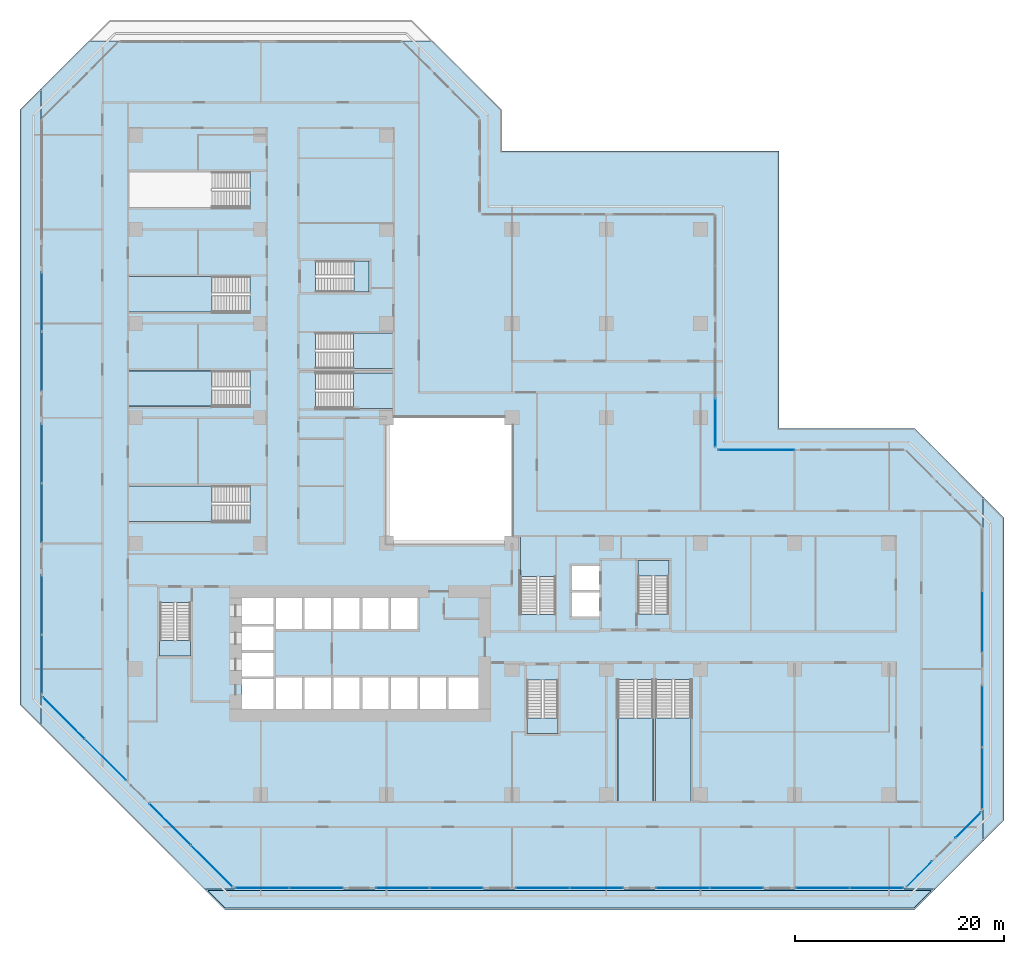
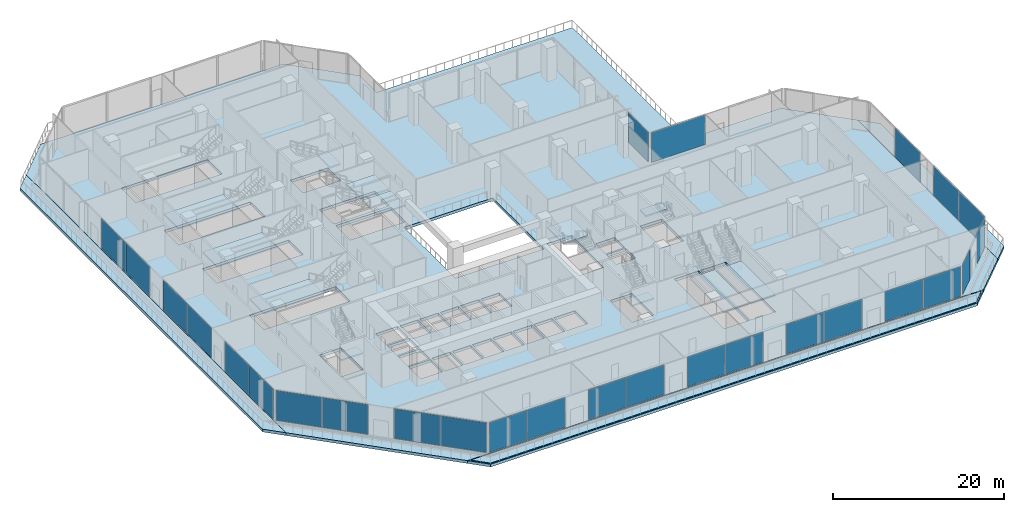
# One storey, part 10 of 26: 27 plates, 17 slabs, 28 elements without a shape of their own.
"""IFC4 building model written with IfcOpenShell, lengths in metres."""

import ifcopenshell
import ifcopenshell.guid

model = None  # the IFC model being written
_history = None  # IfcOwnerHistory: only IFC2X3 demands one
_inside = {}  # id of a spatial element -> (the spatial element, [elements in it])
_under = {}  # id of a project, library or spatial element -> (it, [spatial elements below it])
_declared = {}  # id of a project -> (the project, [libraries it declares])
_typed = {}  # id of a type object -> (the type object, [elements of that type])
_made_of = {}  # id of a material, layer set ... -> (it, [elements and type objects made of it])


def new_model(schema):
    """Start an empty IFC model of exactly this schema.

    Asked for "IFC4X3", IfcOpenShell would pick the latest addendum, in which some entities
    have other attributes; the version numbers below select the first issue.
    IFC2X3 requires an IfcOwnerHistory on every rooted entity: one is made here for all.
    """
    global model, _history
    if schema == "IFC4X3":
        model = ifcopenshell.file(schema_version=(4, 3, 0, 0))
    else:
        model = ifcopenshell.file(schema=schema)
    _inside.clear()
    _under.clear()
    _declared.clear()
    _typed.clear()
    _made_of.clear()
    _history = None
    if model.schema == "IFC2X3":
        org = make("IfcOrganization", Name="unknown")
        user = make(
            "IfcPersonAndOrganization",
            ThePerson=make("IfcPerson", FamilyName="unknown"),
            TheOrganization=org,
        )
        app = make(
            "IfcApplication",
            ApplicationDeveloper=org,
            Version="unknown",
            ApplicationFullName="unknown",
            ApplicationIdentifier="unknown",
        )
        _history = make(
            "IfcOwnerHistory",
            OwningUser=user,
            OwningApplication=app,
            ChangeAction="ADDED",
            CreationDate=0,
        )
    return model


def make(cls, **values):
    """One entity of the class cls with the attributes given. An attribute that is None is left unset."""
    return model.create_entity(
        cls, **{name: value for name, value in values.items() if value is not None}
    )


def rooted(cls, **values):
    """An entity with a GlobalId (a new one), such as an element, a storey or a relation."""
    return make(cls, GlobalId=ifcopenshell.guid.new(), OwnerHistory=_history, **values)


def si_unit(unit_type, name, prefix=None):
    """IfcSIUnit, for example si_unit("LENGTHUNIT", "METRE", prefix="MILLI")."""
    return make("IfcSIUnit", UnitType=unit_type, Prefix=prefix, Name=name)


def assignment(units):
    """IfcUnitAssignment: the units of a project."""
    return None if units is None else make("IfcUnitAssignment", Units=units)


def point(xyz):
    """IfcCartesianPoint."""
    return None if xyz is None else make("IfcCartesianPoint", Coordinates=xyz)


def direction(xyz):
    """IfcDirection."""
    return None if xyz is None else make("IfcDirection", DirectionRatios=xyz)


def frame(location, z_axis=None, x_axis=None):
    """IfcAxis2Placement3D, a coordinate frame: its origin and axes. An axis left out is left unset."""
    return make(
        "IfcAxis2Placement3D",
        Location=point(location),
        Axis=direction(z_axis),
        RefDirection=direction(x_axis),
    )


def frame_2d(location, x_axis=None):
    """IfcAxis2Placement2D, a coordinate frame in the plane: its origin and x axis."""
    return make(
        "IfcAxis2Placement2D", Location=point(location), RefDirection=direction(x_axis)
    )


def origin():
    """The frame at (0, 0, 0) with its axes left unset."""
    return frame((0.0, 0.0, 0.0))


def origin_2d():
    """The frame at (0, 0) in the plane with its x axis left unset."""
    return frame_2d((0.0, 0.0))


def place(relative_to, where):
    """IfcLocalPlacement: puts the frame where relative to a parent placement (None: the world)."""
    return make(
        "IfcLocalPlacement", PlacementRelTo=relative_to, RelativePlacement=where
    )


def context(
    kind, dimensions, precision=None, world=None, true_north=None, identifier=None
):
    """IfcGeometricRepresentationContext, for example the 3D "Model" context."""
    return make(
        "IfcGeometricRepresentationContext",
        ContextIdentifier=identifier,
        ContextType=kind,
        CoordinateSpaceDimension=dimensions,
        Precision=precision,
        WorldCoordinateSystem=world,
        TrueNorth=true_north,
    )


def subcontext(parent, identifier, kind, view, scale=None):
    """IfcGeometricRepresentationSubContext, for example "Body" below "Model"."""
    return make(
        "IfcGeometricRepresentationSubContext",
        ContextIdentifier=identifier,
        ContextType=kind,
        ParentContext=parent,
        TargetScale=scale,
        TargetView=view,
    )


def project(units=None, contexts=None):
    """IfcProject with its units and contexts."""
    return rooted(
        "IfcProject",
        Name="project",
        RepresentationContexts=contexts,
        UnitsInContext=assignment(units),
    )


def spatial(cls, under=None, at=None, **own):
    """A site, building, storey or space (cls), placed at a placement, below another one or the project."""
    s = rooted(cls, ObjectPlacement=at, **own)
    if under is not None:
        _under.setdefault(under.id(), (under, []))[1].append(s)
    return s


def polyline(points):
    """IfcPolyline through the points."""
    return make("IfcPolyline", Points=[point(p) for p in points])


def profile(cls, at=None, kind="AREA", **sizes):
    """A parametric profile (cls). Its sizes go by their IFC names, for example OverallWidth=200.0."""
    return make(cls, ProfileType=kind, Position=at, **sizes)


def rectangle(**sizes):
    """IfcRectangleProfileDef."""
    return profile("IfcRectangleProfileDef", **sizes)


def outline(outer, holes=None, kind="AREA"):
    """IfcArbitraryClosedProfileDef: a profile drawn as a closed curve; with holes, ...WithVoids."""
    if holes is None:
        return make("IfcArbitraryClosedProfileDef", ProfileType=kind, OuterCurve=outer)
    return make(
        "IfcArbitraryProfileDefWithVoids",
        ProfileType=kind,
        OuterCurve=outer,
        InnerCurves=holes,
    )


def extrude(swept, where, along, depth):
    """IfcExtrudedAreaSolid: the profile swept, set in the frame where, extruded along a direction by depth."""
    return make(
        "IfcExtrudedAreaSolid",
        SweptArea=swept,
        Position=where,
        ExtrudedDirection=direction(along),
        Depth=depth,
    )


def shape(context_of_items, identifier, shape_type, items):
    """IfcShapeRepresentation: the items that make up one representation, for example the "Body"."""
    return make(
        "IfcShapeRepresentation",
        ContextOfItems=context_of_items,
        RepresentationIdentifier=identifier,
        RepresentationType=shape_type,
        Items=items,
    )


def material(Name=None, Category=None):
    """IfcMaterial."""
    return make("IfcMaterial", Name=Name, Category=Category)


def layer(
    of_material, thickness, ventilated=None, Name=None, Category=None, Priority=None
):
    """IfcMaterialLayer: one layer of a wall or slab, of a material (None: an air gap)."""
    return make(
        "IfcMaterialLayer",
        Material=of_material,
        LayerThickness=thickness,
        IsVentilated=ventilated,
        Name=Name,
        Category=Category,
        Priority=Priority,
    )


def layer_set(layers, Name=None):
    """IfcMaterialLayerSet."""
    return make("IfcMaterialLayerSet", MaterialLayers=layers, LayerSetName=Name)


def made_of(thing, what):
    """Note that an element or type object is made of a material, layer set ...; save() writes the relation."""
    if what is not None:
        _made_of.setdefault(what.id(), (what, []))[1].append(thing)
    return thing


def type_object(cls, material=None, **own):
    """A type object (cls), such as IfcWallType, which elements share."""
    return made_of(rooted(cls, **own), material)


def element(
    cls,
    number,
    at=None,
    inside=None,
    cuts=None,
    type_object=None,
    material=None,
    context=None,
    identifier="Body",
    shape_type=None,
    held_by="IfcProductDefinitionShape",
    body=None,
    shapes=None,
    **own,
):
    """One element of the class cls, such as IfcWall. Its Tag is "e" and its number.

    at: its placement. inside: the storey or other place that contains it. cuts: it is an
    opening in that element (IfcRelVoidsElement). A single representation is given by context,
    identifier, shape_type and body (its items); several are given by shapes. held_by: the class
    of the entity that holds the representations. save() writes the other relations.
    """
    e = rooted(cls, Tag="e%d" % number, ObjectPlacement=at, **own)
    if body is not None:
        shapes = [shape(context, identifier, shape_type, body)]
    if shapes is not None:
        e.Representation = make(held_by, Representations=shapes)
    if inside is not None:
        _inside.setdefault(inside.id(), (inside, []))[1].append(e)
    if cuts is not None:
        rooted(
            "IfcRelVoidsElement", RelatingBuildingElement=cuts, RelatedOpeningElement=e
        )
    if type_object is not None:
        _typed.setdefault(type_object.id(), (type_object, []))[1].append(e)
    return made_of(e, material)


def aggregate(whole, parts):
    """IfcRelAggregates: a whole, such as a stair, and the parts it consists of."""
    return rooted("IfcRelAggregates", RelatingObject=whole, RelatedObjects=parts)


def save(model, path):
    """Write the relations noted so far, then the file.

    IfcRelAggregates (storeys below a building ...), IfcRelContainedInSpatialStructure (elements
    in a storey), IfcRelDefinesByType, IfcRelAssociatesMaterial and IfcRelDeclares: one each for
    every whole, place, type object, material and project.
    """
    for whole, parts in _under.values():
        aggregate(whole, parts)
    for where, things in _inside.values():
        rooted(
            "IfcRelContainedInSpatialStructure",
            RelatedElements=things,
            RelatingStructure=where,
        )
    for kind, things in _typed.values():
        rooted("IfcRelDefinesByType", RelatedObjects=things, RelatingType=kind)
    for what, things in _made_of.values():
        rooted("IfcRelAssociatesMaterial", RelatedObjects=things, RelatingMaterial=what)
    for by, libraries in _declared.values():
        rooted("IfcRelDeclares", RelatingContext=by, RelatedDefinitions=libraries)
    model.write(path)


model = new_model("IFC4")

# Units and contexts
model_context = context("Model", 3, precision=1e-05, world=origin(), true_north=direction((0.0, 1.0)))
body_context = subcontext(model_context, "Body", "Model", "MODEL_VIEW")
ifc_project = project(units=[si_unit("LENGTHUNIT", "METRE"), si_unit("AREAUNIT", "SQUARE_METRE"), si_unit("VOLUMEUNIT", "CUBIC_METRE"), si_unit("PLANEANGLEUNIT", "RADIAN"), si_unit("MASSUNIT", "GRAM", prefix="KILO")], contexts=[model_context])

# Site, building, storey
site_placement = place(None, origin())
site = spatial("IfcSite", under=ifc_project, at=site_placement, CompositionType="ELEMENT")
building_placement = place(site_placement, origin())
building = spatial("IfcBuilding", under=site, at=building_placement, Name="Chenar Terraces", CompositionType="ELEMENT")
storey_placement = place(building_placement, frame((0.0, 0.0, 16.800048828125)))
storey = spatial("IfcBuildingStorey", under=building, at=storey_placement, Name="L03", CompositionType="ELEMENT", Elevation=16.800048828125)

# Stair, slab
ifc_material_1 = material(Name="Reinforced concrete C40/50", Category="concrete")
stair_type = type_object("IfcStairType", Name="Core stair 1400 half-turn", PredefinedType="HALF_TURN_STAIR", material=ifc_material_1)
placement_1 = place(storey_placement, origin())
stair_1 = element("IfcStair", 1, at=placement_1, inside=storey, type_object=stair_type, Name="L03 Stair 1", PredefinedType="HALF_TURN_STAIR")
ifc_material_2 = material(Name="Reinforced concrete C40/50", Category="concrete")
ifc_layer_1 = layer(ifc_material_2, 0.199951171875)
ifc_layer_set_1 = layer_set([ifc_layer_1], Name="Reinforced concrete C40/50")
slab_type_1 = type_object("IfcSlabType", Name="Core stair landing 200", PredefinedType="LANDING", material=ifc_layer_set_1)
placement_2 = place(storey_placement, frame((0.0, 0.0, 2.199951171875)))
slab_1 = element("IfcSlab", 2, at=placement_2, type_object=slab_type_1, Name="ST1 landing 1", PredefinedType="LANDING", context=body_context, shape_type="SweptSolid", body=[
    extrude(outline(polyline([(2.35009765625, 14.7099609375), (2.35009765625, 13.25), (5.300048828125, 13.25), (5.300048828125, 14.7099609375), (2.35009765625, 14.7099609375)])), origin(), (0.0, 0.0, 1.0), 0.199951171875),
])
aggregate(stair_1, [slab_1])

stair_2 = element("IfcStair", 3, at=placement_1, inside=storey, type_object=stair_type, Name="L03 Stair 2", PredefinedType="HALF_TURN_STAIR")
slab_2 = element("IfcSlab", 4, at=placement_2, type_object=slab_type_1, Name="ST2 landing 1", PredefinedType="LANDING", context=body_context, shape_type="SweptSolid", body=[
    extrude(outline(polyline([(37.449951171875, 7.31005859375), (37.449951171875, 5.85009765625), (40.39990234375, 5.85009765625), (40.39990234375, 7.31005859375), (37.449951171875, 7.31005859375)])), origin(), (0.0, 0.0, 1.0), 0.199951171875),
])
aggregate(stair_2, [slab_2])

stair_3 = element("IfcStair", 5, at=placement_1, inside=storey, type_object=stair_type, Name="L03 Stair 3", PredefinedType="HALF_TURN_STAIR")
slab_3 = element("IfcSlab", 6, at=placement_2, type_object=slab_type_1, Name="ST3 landing 1", PredefinedType="LANDING", context=body_context, shape_type="SweptSolid", body=[
    extrude(outline(polyline([(50.97509765625, 20.889892578125), (50.97509765625, 22.35009765625), (48.02490234375, 22.35009765625), (48.02490234375, 20.889892578125), (50.97509765625, 20.889892578125)])), origin(), (0.0, 0.0, 1.0), 0.199951171875),
])
aggregate(stair_3, [slab_3])

stair_4 = element("IfcStair", 7, at=placement_1, inside=storey, type_object=stair_type, Name="L03 Stair 4", PredefinedType="HALF_TURN_STAIR")
slab_4 = element("IfcSlab", 8, at=placement_2, type_object=slab_type_1, Name="ST4 landing 1", PredefinedType="LANDING", context=body_context, shape_type="SweptSolid", body=[
    extrude(outline(polyline([(20.889892578125, 48.02490234375), (22.35009765625, 48.02490234375), (22.35009765625, 50.97509765625), (20.889892578125, 50.97509765625), (20.889892578125, 48.02490234375)])), origin(), (0.0, 0.0, 1.0), 0.199951171875),
])
aggregate(stair_4, [slab_4])

stair_5 = element("IfcStair", 9, at=placement_1, inside=storey, type_object=stair_type, Name="L03 Exit stair PS1", PredefinedType="HALF_TURN_STAIR")
slab_5 = element("IfcSlab", 10, at=placement_2, type_object=slab_type_1, Name="PS1 landing 1", PredefinedType="LANDING", context=body_context, shape_type="SweptSolid", body=[
    extrude(outline(polyline([(40.175048828125, 20.840087890625), (40.175048828125, 24.699951171875), (36.824951171875, 24.699951171875), (36.824951171875, 20.840087890625), (40.175048828125, 20.840087890625)])), origin(), (0.0, 0.0, 1.0), 0.199951171875),
])
aggregate(stair_5, [slab_5])

stair_6 = element("IfcStair", 11, at=placement_1, inside=storey, type_object=stair_type, Name="L03 Exit stair PS2", PredefinedType="HALF_TURN_STAIR")
slab_6 = element("IfcSlab", 12, at=placement_2, type_object=slab_type_1, Name="PS2 landing 1", PredefinedType="LANDING", context=body_context, shape_type="SweptSolid", body=[
    extrude(outline(polyline([(49.7099609375, 7.344970703125), (49.7099609375, -0.699951171875), (53.090087890625, -0.699951171875), (53.090087890625, 7.344970703125), (49.7099609375, 7.344970703125)])), origin(), (0.0, 0.0, 1.0), 0.199951171875),
])
aggregate(stair_6, [slab_6])

stair_7 = element("IfcStair", 13, at=placement_1, inside=storey, type_object=stair_type, Name="L03 Exit stair PS4", PredefinedType="HALF_TURN_STAIR")
slab_7 = element("IfcSlab", 14, at=placement_2, type_object=slab_type_1, Name="PS4 landing 1", PredefinedType="LANDING", context=body_context, shape_type="SweptSolid", body=[
    extrude(outline(polyline([(7.344970703125, 49.489990234375), (-0.699951171875, 49.489990234375), (-0.699951171875, 46.110107421875), (7.344970703125, 46.110107421875), (7.344970703125, 49.489990234375)])), origin(), (0.0, 0.0, 1.0), 0.199951171875),
])
aggregate(stair_7, [slab_7])

stair_8 = element("IfcStair", 15, at=placement_1, inside=storey, type_object=stair_type, Name="L03 Exit stair PS5", PredefinedType="HALF_TURN_STAIR")
slab_8 = element("IfcSlab", 16, at=placement_2, type_object=slab_type_1, Name="PS5 landing 1", PredefinedType="LANDING", context=body_context, shape_type="SweptSolid", body=[
    extrude(outline(polyline([(7.344970703125, 29.489990234375), (-0.699951171875, 29.489990234375), (-0.699951171875, 26.110107421875), (7.344970703125, 26.110107421875), (7.344970703125, 29.489990234375)])), origin(), (0.0, 0.0, 1.0), 0.199951171875),
])
aggregate(stair_8, [slab_8])

stair_9 = element("IfcStair", 17, at=placement_1, inside=storey, type_object=stair_type, Name="L03 Exit stair PS6", PredefinedType="HALF_TURN_STAIR")
slab_9 = element("IfcSlab", 18, at=placement_2, type_object=slab_type_1, Name="PS6 landing 1", PredefinedType="LANDING", context=body_context, shape_type="SweptSolid", body=[
    extrude(outline(polyline([(46.110107421875, 7.344970703125), (46.110107421875, -0.699951171875), (49.489990234375, -0.699951171875), (49.489990234375, 7.344970703125), (46.110107421875, 7.344970703125)])), origin(), (0.0, 0.0, 1.0), 0.199951171875),
])
aggregate(stair_9, [slab_9])

stair_10 = element("IfcStair", 19, at=placement_1, inside=storey, type_object=stair_type, Name="L03 Exit stair PS7", PredefinedType="HALF_TURN_STAIR")
slab_10 = element("IfcSlab", 20, at=placement_2, type_object=slab_type_1, Name="PS7 landing 1", PredefinedType="LANDING", context=body_context, shape_type="SweptSolid", body=[
    extrude(outline(polyline([(20.85498046875, 36.909912109375), (24.699951171875, 36.909912109375), (24.699951171875, 40.2900390625), (20.85498046875, 40.2900390625), (20.85498046875, 36.909912109375)])), origin(), (0.0, 0.0, 1.0), 0.199951171875),
])
aggregate(stair_10, [slab_10])

stair_11 = element("IfcStair", 21, at=placement_1, inside=storey, type_object=stair_type, Name="L03 Exit stair PS8", PredefinedType="HALF_TURN_STAIR")
slab_11 = element("IfcSlab", 22, at=placement_2, type_object=slab_type_1, Name="PS8 landing 1", PredefinedType="LANDING", context=body_context, shape_type="SweptSolid", body=[
    extrude(outline(polyline([(20.85498046875, 40.7099609375), (24.699951171875, 40.7099609375), (24.699951171875, 44.090087890625), (20.85498046875, 44.090087890625), (20.85498046875, 40.7099609375)])), origin(), (0.0, 0.0, 1.0), 0.199951171875),
])
aggregate(stair_11, [slab_11])

stair_12 = element("IfcStair", 23, at=placement_1, inside=storey, type_object=stair_type, Name="L03 Exit stair PS9", PredefinedType="HALF_TURN_STAIR")
slab_12 = element("IfcSlab", 24, at=placement_2, type_object=slab_type_1, Name="PS9 landing 1", PredefinedType="LANDING", context=body_context, shape_type="SweptSolid", body=[
    extrude(outline(polyline([(7.344970703125, 40.489990234375), (-0.699951171875, 40.489990234375), (-0.699951171875, 37.110107421875), (7.344970703125, 37.110107421875), (7.344970703125, 40.489990234375)])), origin(), (0.0, 0.0, 1.0), 0.199951171875),
])
aggregate(stair_12, [slab_12])

# Slab
ifc_material_3 = material(Name="Concrete C40/50", Category="concrete")
ifc_layer_2 = layer(ifc_material_3, 0.39990234375)
ifc_layer_set_2 = layer_set([ifc_layer_2], Name="Concrete C40/50")
slab_type_2 = type_object("IfcSlabType", Name="Floor slab 400 Concrete C40/50", PredefinedType="FLOOR", material=ifc_layer_set_2)
placement_3 = place(storey_placement, frame((0.0, 0.0, -0.400146484375)))
element("IfcSlab", 25, at=placement_3, inside=storey, type_object=slab_type_2, Name="Floor slab L03", PredefinedType="FLOOR", context=body_context, shape_type="SweptSolid", body=[
    extrude(outline(polyline([(-8.998046875, 9.391357421875), (-8.998046875, 64.608642578125), (-9.0, 64.606689453125), (-9.0, 67.43505859375), (-4.43505859375, 72.0), (-1.606689453125, 72.0), (-1.608642578125, 71.998046875), (25.608642578125, 71.998046875), (25.606689453125, 72.0), (28.43505859375, 72.0), (35.0, 65.43505859375), (35.0, 61.5), (61.5, 61.5), (61.5, 35.0), (74.43505859375, 35.0), (81.0, 28.43505859375), (81.0, 25.606689453125), (80.998046875, 25.608642578125), (80.998046875, -1.608642578125), (81.0, -1.606689453125), (81.0, -4.43505859375), (76.43505859375, -9.0), (73.606689453125, -9.0), (73.608642578125, -8.998046875), (9.391357421875, -8.998046875), (9.393310546875, -9.0), (6.56494140625, -9.0), (-9.0, 6.56494140625), (-9.0, 9.393310546875), (-8.998046875, 9.391357421875)]), holes=[polyline([(13.199951171875, 8.199951171875), (13.199951171875, 11.050048828125), (10.199951171875, 11.050048828125), (10.199951171875, 8.199951171875), (13.199951171875, 8.199951171875)]), polyline([(15.949951171875, 8.199951171875), (15.949951171875, 11.199951171875), (13.449951171875, 11.199951171875), (13.449951171875, 8.199951171875), (15.949951171875, 8.199951171875)]), polyline([(18.699951171875, 8.199951171875), (18.699951171875, 11.199951171875), (16.199951171875, 11.199951171875), (16.199951171875, 8.199951171875), (18.699951171875, 8.199951171875)]), polyline([(21.449951171875, 8.199951171875), (21.449951171875, 11.199951171875), (18.949951171875, 11.199951171875), (18.949951171875, 8.199951171875), (21.449951171875, 8.199951171875)]), polyline([(13.199951171875, 11.300048828125), (13.199951171875, 13.550048828125), (10.199951171875, 13.550048828125), (10.199951171875, 11.300048828125), (13.199951171875, 11.300048828125)]), polyline([(13.199951171875, 13.800048828125), (13.199951171875, 16.050048828125), (10.199951171875, 16.050048828125), (10.199951171875, 13.800048828125), (13.199951171875, 13.800048828125)]), polyline([(2.35009765625, 18.35009765625), (2.35009765625, 13.25), (5.300048828125, 13.25), (5.300048828125, 18.35009765625), (2.35009765625, 18.35009765625)]), polyline([(15.949951171875, 15.800048828125), (15.949951171875, 18.800048828125), (13.449951171875, 18.800048828125), (13.449951171875, 15.800048828125), (15.949951171875, 15.800048828125)]), polyline([(18.699951171875, 15.800048828125), (18.699951171875, 18.800048828125), (16.199951171875, 18.800048828125), (16.199951171875, 15.800048828125), (18.699951171875, 15.800048828125)]), polyline([(21.449951171875, 15.800048828125), (21.449951171875, 18.800048828125), (18.949951171875, 18.800048828125), (18.949951171875, 15.800048828125), (21.449951171875, 15.800048828125)]), polyline([(13.199951171875, 16.300048828125), (13.199951171875, 18.800048828125), (10.199951171875, 18.800048828125), (10.199951171875, 16.300048828125), (13.199951171875, 16.300048828125)]), polyline([(10.985107421875, 29.489990234375), (-0.699951171875, 29.489990234375), (-0.699951171875, 26.110107421875), (10.985107421875, 26.110107421875), (10.985107421875, 29.489990234375)]), polyline([(10.985107421875, 40.489990234375), (-0.699951171875, 40.489990234375), (-0.699951171875, 37.110107421875), (10.985107421875, 37.110107421875), (10.985107421875, 40.489990234375)]), polyline([(10.985107421875, 49.489990234375), (-0.699951171875, 49.489990234375), (-0.699951171875, 46.110107421875), (10.985107421875, 46.110107421875), (10.985107421875, 49.489990234375)]), polyline([(17.25, 48.02490234375), (22.35009765625, 48.02490234375), (22.35009765625, 50.97509765625), (17.25, 50.97509765625), (17.25, 48.02490234375)]), polyline([(10.985107421875, 59.489990234375), (-0.699951171875, 59.489990234375), (-0.699951171875, 56.110107421875), (10.985107421875, 56.110107421875), (10.985107421875, 59.489990234375)]), polyline([(46.110107421875, 10.985107421875), (46.110107421875, -0.699951171875), (49.489990234375, -0.699951171875), (49.489990234375, 10.985107421875), (46.110107421875, 10.985107421875)]), polyline([(49.7099609375, 10.985107421875), (49.7099609375, -0.699951171875), (53.090087890625, -0.699951171875), (53.090087890625, 10.985107421875), (49.7099609375, 10.985107421875)]), polyline([(37.449951171875, 10.949951171875), (37.449951171875, 5.85009765625), (40.39990234375, 5.85009765625), (40.39990234375, 10.949951171875), (37.449951171875, 10.949951171875)]), polyline([(24.199951171875, 8.199951171875), (24.199951171875, 11.199951171875), (21.699951171875, 11.199951171875), (21.699951171875, 8.199951171875), (24.199951171875, 8.199951171875)]), polyline([(26.949951171875, 8.199951171875), (26.949951171875, 11.199951171875), (24.449951171875, 11.199951171875), (24.449951171875, 8.199951171875), (26.949951171875, 8.199951171875)]), polyline([(29.699951171875, 8.199951171875), (29.699951171875, 11.199951171875), (27.199951171875, 11.199951171875), (27.199951171875, 8.199951171875), (29.699951171875, 8.199951171875)]), polyline([(32.800048828125, 8.199951171875), (32.800048828125, 11.199951171875), (29.949951171875, 11.199951171875), (29.949951171875, 8.199951171875), (32.800048828125, 8.199951171875)]), polyline([(24.199951171875, 15.800048828125), (24.199951171875, 18.800048828125), (21.699951171875, 18.800048828125), (21.699951171875, 15.800048828125), (24.199951171875, 15.800048828125)]), polyline([(26.949951171875, 15.800048828125), (26.949951171875, 18.800048828125), (24.449951171875, 18.800048828125), (24.449951171875, 15.800048828125), (26.949951171875, 15.800048828125)]), polyline([(44.35009765625, 17.0), (44.35009765625, 19.300048828125), (41.75, 19.300048828125), (41.75, 17.0), (44.35009765625, 17.0)]), polyline([(50.97509765625, 17.25), (50.97509765625, 22.35009765625), (48.02490234375, 22.35009765625), (48.02490234375, 17.25), (50.97509765625, 17.25)]), polyline([(44.35009765625, 19.550048828125), (44.35009765625, 21.85009765625), (41.75, 21.85009765625), (41.75, 19.550048828125), (44.35009765625, 19.550048828125)]), polyline([(40.175048828125, 17.199951171875), (40.175048828125, 24.699951171875), (36.824951171875, 24.699951171875), (36.824951171875, 17.199951171875), (40.175048828125, 17.199951171875)]), polyline([(24.0, 24.0), (36.0, 24.0), (36.0, 36.0), (24.0, 36.0), (24.0, 24.0)]), polyline([(17.215087890625, 36.909912109375), (24.699951171875, 36.909912109375), (24.699951171875, 40.2900390625), (17.215087890625, 40.2900390625), (17.215087890625, 36.909912109375)]), polyline([(17.215087890625, 40.7099609375), (24.699951171875, 40.7099609375), (24.699951171875, 44.090087890625), (17.215087890625, 44.090087890625), (17.215087890625, 40.7099609375)])]), origin(), (0.0, 0.0, 1.0), 0.400146484375),
])

# Curtain wall, plates
ifc_material_4 = material(Name="Aluminium framed glazing", Category="aluminium")
ifc_layer_3 = layer(ifc_material_4, 0.14990234375)
ifc_layer_set_3 = layer_set([ifc_layer_3], Name="Aluminium framed glazing")
curtain_wall_type = type_object("IfcCurtainWallType", Name="School curtain wall", PredefinedType="NOTDEFINED", material=ifc_layer_set_3)
curtain_wall_1 = element("IfcCurtainWall", 26, at=placement_1, inside=storey, type_object=curtain_wall_type, Name="School curtain wall", PredefinedType="NOTDEFINED")
ifc_material_5 = material(Name="Low emissivity laminated glass, solar control coating", Category="glass")
ifc_layer_4 = layer(ifc_material_5, 0.031982421875)
ifc_layer_set_4 = layer_set([ifc_layer_4], Name="Low emissivity laminated glass, solar control coating")
plate_type = type_object("IfcPlateType", Name="School glazing panel 32", PredefinedType="CURTAIN_PANEL", material=ifc_layer_set_4)
plate_1_placement = place(storey_placement, frame((-8.925048828125, 47.0849609375, 0.06982421875), z_axis=(0.0, 0.0, 1.0), x_axis=(0.0, -1.0, 0.0)))
plate_1 = element("IfcPlate", 27, at=plate_1_placement, type_object=plate_type, Name="CW2-05c1 panel 1.1", PredefinedType="CURTAIN_PANEL", context=body_context, shape_type="SweptSolid", body=[
    extrude(rectangle(XDim=5.62158203125, YDim=0.031982421875, at=origin_2d()), origin(), (0.0, 0.0, 1.0), 4.260009765625),
])
plate_2_placement = place(storey_placement, frame((-8.925048828125, 41.393310546875, 0.06982421875), z_axis=(0.0, 0.0, 1.0), x_axis=(0.0, -1.0, 0.0)))
plate_2 = element("IfcPlate", 28, at=plate_2_placement, type_object=plate_type, Name="CW2-05c1 panel 2.1", PredefinedType="CURTAIN_PANEL", context=body_context, shape_type="SweptSolid", body=[
    extrude(rectangle(XDim=5.62158203125, YDim=0.031982421875, at=origin_2d()), origin(), (0.0, 0.0, 1.0), 4.260009765625),
])
aggregate(curtain_wall_1, [plate_1, plate_2])

curtain_wall_2 = element("IfcCurtainWall", 29, at=placement_1, inside=storey, type_object=curtain_wall_type, Name="School curtain wall", PredefinedType="NOTDEFINED")
plate_3_placement = place(storey_placement, frame((-8.925048828125, 32.606689453125, 0.06982421875), z_axis=(0.0, 0.0, 1.0), x_axis=(0.0, -1.0, 0.0)))
plate_3 = element("IfcPlate", 30, at=plate_3_placement, type_object=plate_type, Name="CW2-05c2 panel 1.1", PredefinedType="CURTAIN_PANEL", context=body_context, shape_type="SweptSolid", body=[
    extrude(rectangle(XDim=5.62158203125, YDim=0.031982421875, at=origin_2d()), origin(), (0.0, 0.0, 1.0), 4.260009765625),
])
plate_4_placement = place(storey_placement, frame((-8.925048828125, 26.9150390625, 0.06982421875), z_axis=(0.0, 0.0, 1.0), x_axis=(0.0, -1.0, 0.0)))
plate_4 = element("IfcPlate", 31, at=plate_4_placement, type_object=plate_type, Name="CW2-05c2 panel 2.1", PredefinedType="CURTAIN_PANEL", context=body_context, shape_type="SweptSolid", body=[
    extrude(rectangle(XDim=5.62158203125, YDim=0.031982421875, at=origin_2d()), origin(), (0.0, 0.0, 1.0), 4.260009765625),
])
aggregate(curtain_wall_2, [plate_3, plate_4])

curtain_wall_3 = element("IfcCurtainWall", 32, at=placement_1, inside=storey, type_object=curtain_wall_type, Name="School curtain wall", PredefinedType="NOTDEFINED")
plate_5_placement = place(storey_placement, frame((-8.925048828125, 18.125244140625, 0.06982421875), z_axis=(0.0, 0.0, 1.0), x_axis=(0.0, -1.0, 0.0)))
plate_5 = element("IfcPlate", 33, at=plate_5_placement, type_object=plate_type, Name="CW2-05c3 panel 1.1", PredefinedType="CURTAIN_PANEL", context=body_context, shape_type="SweptSolid", body=[
    extrude(rectangle(XDim=5.6279296875, YDim=0.031982421875, at=origin_2d()), origin(), (0.0, 0.0, 1.0), 4.260009765625),
])
plate_6_placement = place(storey_placement, frame((-8.925048828125, 12.42724609375, 0.06982421875), z_axis=(0.0, 0.0, 1.0), x_axis=(0.0, -1.0, 0.0)))
plate_6 = element("IfcPlate", 34, at=plate_6_placement, type_object=plate_type, Name="CW2-05c3 panel 2.1", PredefinedType="CURTAIN_PANEL", context=body_context, shape_type="SweptSolid", body=[
    extrude(rectangle(XDim=5.6279296875, YDim=0.031982421875, at=origin_2d()), origin(), (0.0, 0.0, 1.0), 4.260009765625),
])
aggregate(curtain_wall_3, [plate_5, plate_6])

curtain_wall_4 = element("IfcCurtainWall", 35, at=placement_1, inside=storey, type_object=curtain_wall_type, Name="School curtain wall", PredefinedType="NOTDEFINED")
plate_7_placement = place(storey_placement, frame((-6.8232421875, 7.32275390625, 0.06982421875), z_axis=(0.0, 0.0, 1.0), x_axis=(0.707106781187, -0.707106781187, 0.0)))
plate_7 = element("IfcPlate", 36, at=plate_7_placement, type_object=plate_type, Name="CW2-06c0 panel 1.1", PredefinedType="CURTAIN_PANEL", context=body_context, shape_type="SweptSolid", body=[
    extrude(rectangle(XDim=5.56689453125, YDim=0.031982421875, at=origin_2d()), origin(), (0.0, 0.0, 1.0), 4.260009765625),
])
plate_8_placement = place(storey_placement, frame((-2.83740234375, 3.3369140625, 0.06982421875), z_axis=(0.0, 0.0, 1.0), x_axis=(0.707106781187, -0.707106781187, 0.0)))
plate_8 = element("IfcPlate", 37, at=plate_8_placement, type_object=plate_type, Name="CW2-06c0 panel 2.1", PredefinedType="CURTAIN_PANEL", context=body_context, shape_type="SweptSolid", body=[
    extrude(rectangle(XDim=5.56689453125, YDim=0.031982421875, at=origin_2d()), origin(), (0.0, 0.0, 1.0), 4.260009765625),
])
aggregate(curtain_wall_4, [plate_7, plate_8])

curtain_wall_5 = element("IfcCurtainWall", 38, at=placement_1, inside=storey, type_object=curtain_wall_type, Name="School curtain wall", PredefinedType="NOTDEFINED")
plate_9_placement = place(storey_placement, frame((3.3369140625, -2.83740234375, 0.06982421875), z_axis=(0.0, 0.0, 1.0), x_axis=(0.707106781187, -0.707106781187, 0.0)))
plate_9 = element("IfcPlate", 39, at=plate_9_placement, type_object=plate_type, Name="CW2-06c1 panel 1.1", PredefinedType="CURTAIN_PANEL", context=body_context, shape_type="SweptSolid", body=[
    extrude(rectangle(XDim=5.56689453125, YDim=0.031982421875, at=origin_2d()), origin(), (0.0, 0.0, 1.0), 4.260009765625),
])
plate_10_placement = place(storey_placement, frame((7.32275390625, -6.8232421875, 0.06982421875), z_axis=(0.0, 0.0, 1.0), x_axis=(0.707106781187, -0.707106781187, 0.0)))
plate_10 = element("IfcPlate", 40, at=plate_10_placement, type_object=plate_type, Name="CW2-06c1 panel 2.1", PredefinedType="CURTAIN_PANEL", context=body_context, shape_type="SweptSolid", body=[
    extrude(rectangle(XDim=5.56689453125, YDim=0.031982421875, at=origin_2d()), origin(), (0.0, 0.0, 1.0), 4.260009765625),
])
aggregate(curtain_wall_5, [plate_9, plate_10])

curtain_wall_6 = element("IfcCurtainWall", 41, at=placement_1, inside=storey, type_object=curtain_wall_type, Name="School curtain wall", PredefinedType="NOTDEFINED")
plate_11_placement = place(storey_placement, frame((12.1533203125, -8.925048828125, 0.06982421875), z_axis=(0.0, 0.0, 1.0), x_axis=(1.0, 0.0, 0.0)))
plate_11 = element("IfcPlate", 42, at=plate_11_placement, type_object=plate_type, Name="CW2-07c0 panel 1.1", PredefinedType="CURTAIN_PANEL", context=body_context, shape_type="SweptSolid", body=[
    extrude(rectangle(XDim=5.080078125, YDim=0.031982421875, at=origin_2d()), origin(), (0.0, 0.0, 1.0), 4.260009765625),
])
plate_12_placement = place(storey_placement, frame((17.303466796875, -8.925048828125, 0.06982421875), z_axis=(0.0, 0.0, 1.0), x_axis=(1.0, 0.0, 0.0)))
plate_12 = element("IfcPlate", 43, at=plate_12_placement, type_object=plate_type, Name="CW2-07c0 panel 2.1", PredefinedType="CURTAIN_PANEL", context=body_context, shape_type="SweptSolid", body=[
    extrude(rectangle(XDim=5.080078125, YDim=0.031982421875, at=origin_2d()), origin(), (0.0, 0.0, 1.0), 4.260009765625),
])
aggregate(curtain_wall_6, [plate_11, plate_12])

curtain_wall_7 = element("IfcCurtainWall", 44, at=placement_1, inside=storey, type_object=curtain_wall_type, Name="School curtain wall", PredefinedType="NOTDEFINED")
plate_13_placement = place(storey_placement, frame((25.54541015625, -8.925048828125, 0.06982421875), z_axis=(0.0, 0.0, 1.0), x_axis=(1.0, 0.0, 0.0)))
plate_13 = element("IfcPlate", 45, at=plate_13_placement, type_object=plate_type, Name="CW2-07c1 panel 1.1", PredefinedType="CURTAIN_PANEL", context=body_context, shape_type="SweptSolid", body=[
    extrude(rectangle(XDim=5.07373046875, YDim=0.031982421875, at=origin_2d()), origin(), (0.0, 0.0, 1.0), 4.260009765625),
])
plate_14_placement = place(storey_placement, frame((30.689208984375, -8.925048828125, 0.06982421875), z_axis=(0.0, 0.0, 1.0), x_axis=(1.0, 0.0, 0.0)))
plate_14 = element("IfcPlate", 46, at=plate_14_placement, type_object=plate_type, Name="CW2-07c1 panel 2.1", PredefinedType="CURTAIN_PANEL", context=body_context, shape_type="SweptSolid", body=[
    extrude(rectangle(XDim=5.07373046875, YDim=0.031982421875, at=origin_2d()), origin(), (0.0, 0.0, 1.0), 4.260009765625),
])
aggregate(curtain_wall_7, [plate_13, plate_14])

curtain_wall_8 = element("IfcCurtainWall", 47, at=placement_1, inside=storey, type_object=curtain_wall_type, Name="School curtain wall", PredefinedType="NOTDEFINED")
plate_15_placement = place(storey_placement, frame((38.927978515625, -8.925048828125, 0.06982421875), z_axis=(0.0, 0.0, 1.0), x_axis=(1.0, 0.0, 0.0)))
plate_15 = element("IfcPlate", 48, at=plate_15_placement, type_object=plate_type, Name="CW2-07c2 panel 1.1", PredefinedType="CURTAIN_PANEL", context=body_context, shape_type="SweptSolid", body=[
    extrude(rectangle(XDim=5.07373046875, YDim=0.031982421875, at=origin_2d()), origin(), (0.0, 0.0, 1.0), 4.260009765625),
])
plate_16_placement = place(storey_placement, frame((44.072021484375, -8.925048828125, 0.06982421875), z_axis=(0.0, 0.0, 1.0), x_axis=(1.0, 0.0, 0.0)))
plate_16 = element("IfcPlate", 49, at=plate_16_placement, type_object=plate_type, Name="CW2-07c2 panel 2.1", PredefinedType="CURTAIN_PANEL", context=body_context, shape_type="SweptSolid", body=[
    extrude(rectangle(XDim=5.07373046875, YDim=0.031982421875, at=origin_2d()), origin(), (0.0, 0.0, 1.0), 4.260009765625),
])
aggregate(curtain_wall_8, [plate_15, plate_16])

curtain_wall_9 = element("IfcCurtainWall", 50, at=placement_1, inside=storey, type_object=curtain_wall_type, Name="School curtain wall", PredefinedType="NOTDEFINED")
plate_17_placement = place(storey_placement, frame((52.310791015625, -8.925048828125, 0.06982421875), z_axis=(0.0, 0.0, 1.0), x_axis=(1.0, 0.0, 0.0)))
plate_17 = element("IfcPlate", 51, at=plate_17_placement, type_object=plate_type, Name="CW2-07c3 panel 1.1", PredefinedType="CURTAIN_PANEL", context=body_context, shape_type="SweptSolid", body=[
    extrude(rectangle(XDim=5.07373046875, YDim=0.031982421875, at=origin_2d()), origin(), (0.0, 0.0, 1.0), 4.260009765625),
])
plate_18_placement = place(storey_placement, frame((57.45458984375, -8.925048828125, 0.06982421875), z_axis=(0.0, 0.0, 1.0), x_axis=(1.0, 0.0, 0.0)))
plate_18 = element("IfcPlate", 52, at=plate_18_placement, type_object=plate_type, Name="CW2-07c3 panel 2.1", PredefinedType="CURTAIN_PANEL", context=body_context, shape_type="SweptSolid", body=[
    extrude(rectangle(XDim=5.07373046875, YDim=0.031982421875, at=origin_2d()), origin(), (0.0, 0.0, 1.0), 4.260009765625),
])
aggregate(curtain_wall_9, [plate_17, plate_18])

curtain_wall_10 = element("IfcCurtainWall", 53, at=placement_1, inside=storey, type_object=curtain_wall_type, Name="School curtain wall", PredefinedType="NOTDEFINED")
plate_19_placement = place(storey_placement, frame((65.696533203125, -8.925048828125, 0.06982421875), z_axis=(0.0, 0.0, 1.0), x_axis=(1.0, 0.0, 0.0)))
plate_19 = element("IfcPlate", 54, at=plate_19_placement, type_object=plate_type, Name="CW2-07c4 panel 1.1", PredefinedType="CURTAIN_PANEL", context=body_context, shape_type="SweptSolid", body=[
    extrude(rectangle(XDim=5.080078125, YDim=0.031982421875, at=origin_2d()), origin(), (0.0, 0.0, 1.0), 4.260009765625),
])
plate_20_placement = place(storey_placement, frame((70.8466796875, -8.925048828125, 0.06982421875), z_axis=(0.0, 0.0, 1.0), x_axis=(1.0, 0.0, 0.0)))
plate_20 = element("IfcPlate", 55, at=plate_20_placement, type_object=plate_type, Name="CW2-07c4 panel 2.1", PredefinedType="CURTAIN_PANEL", context=body_context, shape_type="SweptSolid", body=[
    extrude(rectangle(XDim=5.080078125, YDim=0.031982421875, at=origin_2d()), origin(), (0.0, 0.0, 1.0), 4.260009765625),
])
aggregate(curtain_wall_10, [plate_19, plate_20])

# Curtain wall, plate
curtain_wall_11 = element("IfcCurtainWall", 56, at=placement_1, inside=storey, type_object=curtain_wall_type, Name="School curtain wall", PredefinedType="NOTDEFINED")
plate_21_placement = place(storey_placement, frame((74.920166015625, -7.580322265625, 0.06982421875), z_axis=(0.0, 0.0, 1.0), x_axis=(0.707106781187, 0.707106781187, 0.0)))
plate_21 = element("IfcPlate", 57, at=plate_21_placement, type_object=plate_type, Name="CW2-08c0 panel 1.1", PredefinedType="CURTAIN_PANEL", context=body_context, shape_type="SweptSolid", body=[
    extrude(rectangle(XDim=3.425537109375, YDim=0.031982421875, at=origin_2d()), origin(), (0.0, 0.0, 1.0), 4.260009765625),
])
aggregate(curtain_wall_11, [plate_21])

curtain_wall_12 = element("IfcCurtainWall", 58, at=placement_1, inside=storey, type_object=curtain_wall_type, Name="School curtain wall", PredefinedType="NOTDEFINED")
plate_22_placement = place(storey_placement, frame((79.580322265625, -2.920166015625, 0.06982421875), z_axis=(0.0, 0.0, 1.0), x_axis=(0.707106781187, 0.707106781187, 0.0)))
plate_22 = element("IfcPlate", 59, at=plate_22_placement, type_object=plate_type, Name="CW2-08c1 panel 1.1", PredefinedType="CURTAIN_PANEL", context=body_context, shape_type="SweptSolid", body=[
    extrude(rectangle(XDim=3.425537109375, YDim=0.031982421875, at=origin_2d()), origin(), (0.0, 0.0, 1.0), 4.260009765625),
])
aggregate(curtain_wall_12, [plate_22])

# Curtain wall, plates
curtain_wall_13 = element("IfcCurtainWall", 60, at=placement_1, inside=storey, type_object=curtain_wall_type, Name="School curtain wall", PredefinedType="NOTDEFINED")
plate_23_placement = place(storey_placement, frame((80.925048828125, 1.546875, 0.06982421875), z_axis=(0.0, 0.0, 1.0), x_axis=(0.0, 1.0, 0.0)))
plate_23 = element("IfcPlate", 61, at=plate_23_placement, type_object=plate_type, Name="CW2-09c0 panel 1.1", PredefinedType="CURTAIN_PANEL", context=body_context, shape_type="SweptSolid", body=[
    extrude(rectangle(XDim=5.866943359375, YDim=0.031982421875, at=origin_2d()), origin(), (0.0, 0.0, 1.0), 4.260009765625),
])
plate_24_placement = place(storey_placement, frame((80.925048828125, 7.48388671875, 0.06982421875), z_axis=(0.0, 0.0, 1.0), x_axis=(0.0, 1.0, 0.0)))
plate_24 = element("IfcPlate", 62, at=plate_24_placement, type_object=plate_type, Name="CW2-09c0 panel 2.1", PredefinedType="CURTAIN_PANEL", context=body_context, shape_type="SweptSolid", body=[
    extrude(rectangle(XDim=5.866943359375, YDim=0.031982421875, at=origin_2d()), origin(), (0.0, 0.0, 1.0), 4.260009765625),
])
aggregate(curtain_wall_13, [plate_23, plate_24])

# Curtain wall, plate
curtain_wall_14 = element("IfcCurtainWall", 63, at=placement_1, inside=storey, type_object=curtain_wall_type, Name="School curtain wall", PredefinedType="NOTDEFINED")
plate_25_placement = place(storey_placement, frame((80.925048828125, 16.51611328125, 0.06982421875), z_axis=(0.0, 0.0, 1.0), x_axis=(0.0, 1.0, 0.0)))
plate_25 = element("IfcPlate", 64, at=plate_25_placement, type_object=plate_type, Name="CW2-09c1 panel 1.1", PredefinedType="CURTAIN_PANEL", context=body_context, shape_type="SweptSolid", body=[
    extrude(rectangle(XDim=5.866943359375, YDim=0.031982421875, at=origin_2d()), origin(), (0.0, 0.0, 1.0), 4.260009765625),
])
aggregate(curtain_wall_14, [plate_25])

curtain_wall_15 = element("IfcCurtainWall", 65, at=placement_1, inside=storey, type_object=curtain_wall_type, Name="School curtain wall", PredefinedType="NOTDEFINED")
plate_26_placement = place(storey_placement, frame((59.345458984375, 32.925048828125, 0.06982421875), z_axis=(0.0, 0.0, 1.0), x_axis=(-1.0, 0.0, 0.0)))
plate_26 = element("IfcPlate", 66, at=plate_26_placement, type_object=plate_type, Name="CW2-11c1 panel 1.1", PredefinedType="CURTAIN_PANEL", context=body_context, shape_type="SweptSolid", body=[
    extrude(rectangle(XDim=7.250732421875, YDim=0.031982421875, at=origin_2d()), origin(), (0.0, 0.0, 1.0), 4.260009765625),
])
aggregate(curtain_wall_15, [plate_26])

curtain_wall_16 = element("IfcCurtainWall", 67, at=placement_1, inside=storey, type_object=curtain_wall_type, Name="School curtain wall", PredefinedType="NOTDEFINED")
plate_27_placement = place(storey_placement, frame((55.425048828125, 35.539306640625, 0.06982421875), z_axis=(0.0, 0.0, 1.0), x_axis=(0.0, 1.0, 0.0)))
plate_27 = element("IfcPlate", 68, at=plate_27_placement, type_object=plate_type, Name="CW2-12c0 panel 1.1", PredefinedType="CURTAIN_PANEL", context=body_context, shape_type="SweptSolid", body=[
    extrude(rectangle(XDim=4.638671875, YDim=0.031982421875, at=origin_2d()), origin(), (0.0, 0.0, 1.0), 4.260009765625),
])
aggregate(curtain_wall_16, [plate_27])

# Slabs
ifc_material_6 = material(Name="Limestone paving", Category="masonry")
ifc_layer_5 = layer(ifc_material_6, 0.050048828125)
ifc_layer_set_5 = layer_set([ifc_layer_5], Name="Limestone paving")
slab_type_3 = type_object("IfcSlabType", Name="Terrace paving 50", PredefinedType="USERDEFINED", material=ifc_layer_set_5)
element("IfcSlab", 69, at=placement_1, inside=storey, type_object=slab_type_3, Name="Terrace paving", ObjectType="PAVING", PredefinedType="USERDEFINED", context=body_context, shape_type="SweptSolid", body=[
    extrude(outline(polyline([(74.372802734375, -10.85009765625), (8.627197265625, -10.85009765625), (6.92724609375, -9.14990234375), (76.07275390625, -9.14990234375), (74.372802734375, -10.85009765625)])), origin(), (0.0, 0.0, 1.0), 0.050048828125),
])
ifc_material_7 = material(Name="Concrete C40/50", Category="concrete")
ifc_layer_6 = layer(ifc_material_7, 0.39990234375)
ifc_layer_set_6 = layer_set([ifc_layer_6], Name="Concrete C40/50")
slab_type_4 = type_object("IfcSlabType", Name="Terrace slab 400 Concrete C40/50", PredefinedType="FLOOR", material=ifc_layer_set_6)
element("IfcSlab", 70, at=placement_3, inside=storey, type_object=slab_type_4, Name="Terrace slab L03", PredefinedType="FLOOR", context=body_context, shape_type="SweptSolid", body=[
    extrude(outline(polyline([(83.0, 26.43505859375), (83.0, -2.43505859375), (81.0, -4.43505859375), (81.0, -1.606689453125), (81.0, 25.606689453125), (81.0, 28.43505859375), (83.0, 26.43505859375)])), origin(), (0.0, 0.0, 1.0), 0.400146484375),
])
element("IfcSlab", 71, at=placement_3, inside=storey, type_object=slab_type_4, Name="Terrace slab L03 2.1", PredefinedType="FLOOR", context=body_context, shape_type="SweptSolid", body=[
    extrude(outline(polyline([(74.43505859375, -11.0), (8.56494140625, -11.0), (6.56494140625, -9.0), (9.393310546875, -9.0), (73.606689453125, -9.0), (76.43505859375, -9.0), (74.43505859375, -11.0)])), origin(), (0.0, 0.0, 1.0), 0.400146484375),
])
element("IfcSlab", 72, at=placement_3, inside=storey, type_object=slab_type_4, Name="Terrace slab L03 3.1", PredefinedType="FLOOR", context=body_context, shape_type="SweptSolid", body=[
    extrude(outline(polyline([(-11.0, 8.56494140625), (-11.0, 65.43505859375), (-9.0, 67.43505859375), (-9.0, 64.606689453125), (-9.0, 9.393310546875), (-9.0, 6.56494140625), (-11.0, 8.56494140625)])), origin(), (0.0, 0.0, 1.0), 0.400146484375),
])

save(model, "model.ifc")
